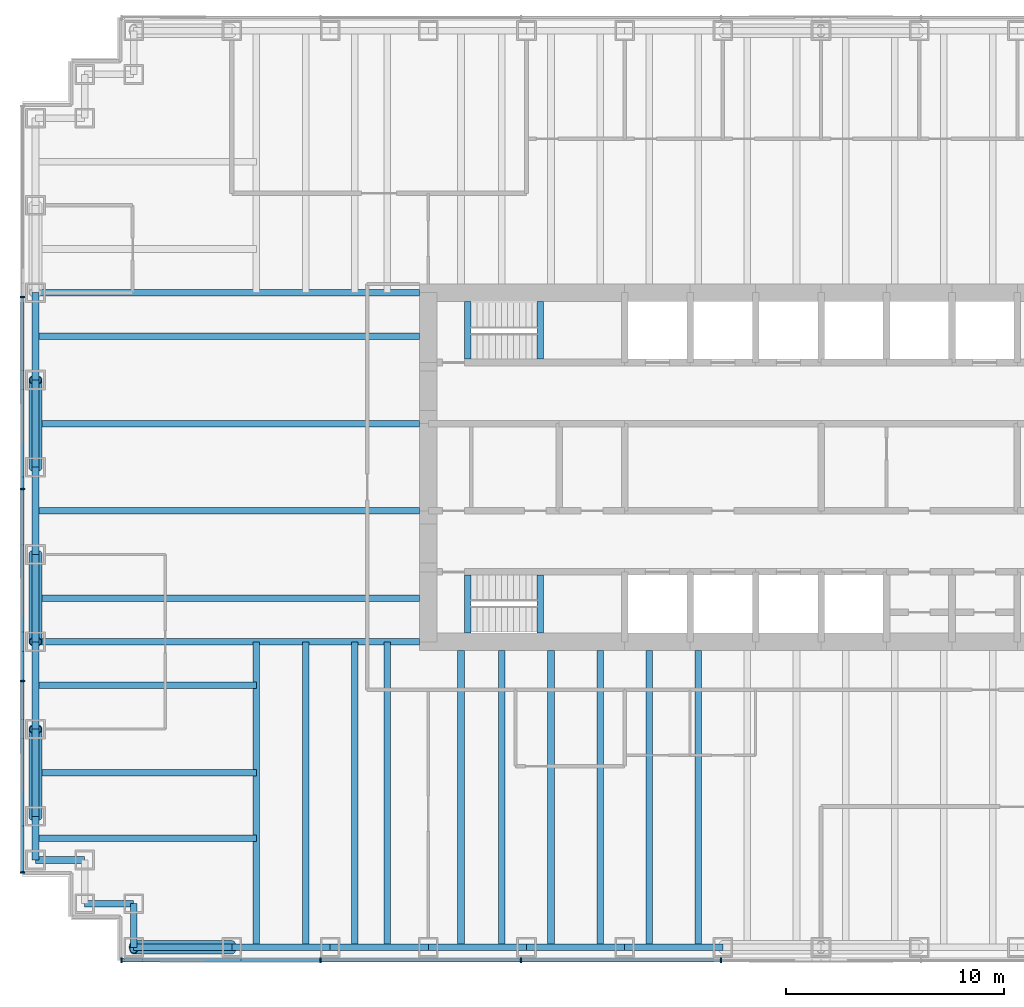
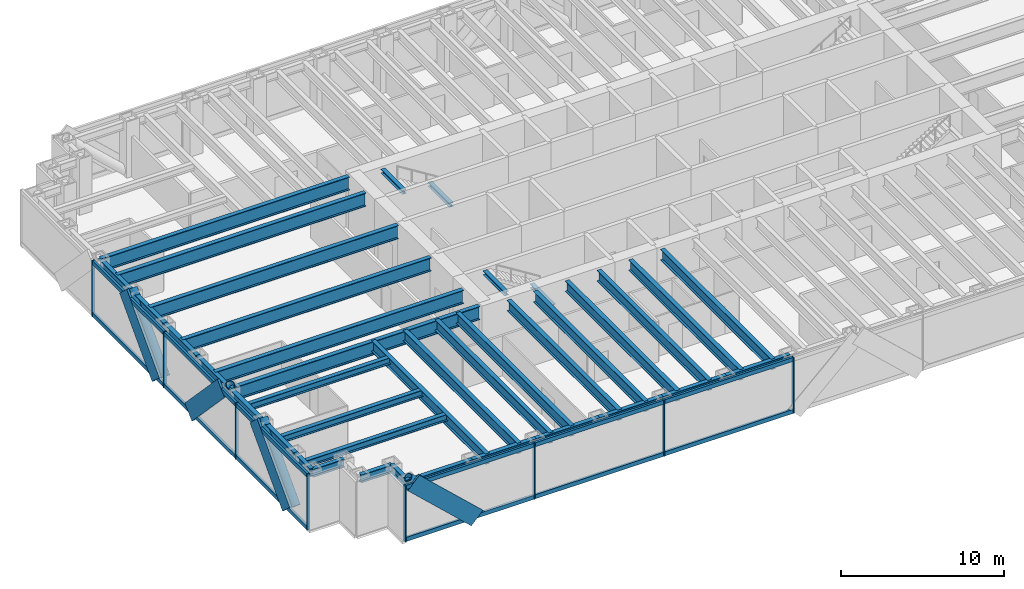
# One storey, part 2 of 14: 39 beams, 28 members, 2 elements without a shape of their own.
"""IFC4 building model written with IfcOpenShell, lengths in metres."""

from ifc_helpers import new_model, si_unit, direction, frame, origin, origin_2d, place, context, subcontext, project, spatial, rectangle, hollow_circle, i_section, extrude, material, material_profile, profile_set, type_object, element, aggregate, save


model = new_model("IFC4")

# Units and contexts
model_context = context("Model", 3, precision=1e-05, world=origin(), true_north=direction((0.0, 1.0)))
body_context = subcontext(model_context, "Body", "Model", "MODEL_VIEW")
ifc_project = project(units=[si_unit("LENGTHUNIT", "METRE"), si_unit("AREAUNIT", "SQUARE_METRE"), si_unit("VOLUMEUNIT", "CUBIC_METRE"), si_unit("PLANEANGLEUNIT", "RADIAN"), si_unit("MASSUNIT", "GRAM", prefix="KILO")], contexts=[model_context])

# Site, building, storey
site_placement = place(None, origin())
site = spatial("IfcSite", under=ifc_project, at=site_placement, CompositionType="ELEMENT")
building_placement = place(site_placement, origin())
building = spatial("IfcBuilding", under=site, at=building_placement, Name="Rheinbord Bourse Tower", CompositionType="ELEMENT")
storey_placement = place(building_placement, frame((0.0, 0.0, 240.39990234375)))
storey = spatial("IfcBuildingStorey", under=building, at=storey_placement, Name="L54", CompositionType="ELEMENT", Elevation=240.39990234375)

# Curtain wall, member
ifc_material_1 = material(Name="Dark glass and black aluminium", Category="aluminium")
curtain_wall_type = type_object("IfcCurtainWallType", Name="CW2 DARK GLASS CURTAIN WALL", PredefinedType="USERDEFINED", material=ifc_material_1)
curtain_wall_1_placement = place(storey_placement, origin())
curtain_wall_1 = element("IfcCurtainWall", 1, at=curtain_wall_1_placement, inside=storey, type_object=curtain_wall_type, Name="Curtain wall CW2 S L54", ObjectType="UNITISED CURTAIN WALL", PredefinedType="USERDEFINED")
ifc_material_2 = material(Name="Black anodised aluminium", Category="aluminium")
ifc_material_profile_1 = material_profile(ifc_material_2, rectangle(XDim=0.159912109375, YDim=1.2099609375, at=origin_2d()), Name="CW2 DIAGONAL MULLION 1210x160")
ifc_profile_set_1 = profile_set([ifc_material_profile_1], Name="Black anodised aluminium")
member_type_1 = type_object("IfcMemberType", Name="CW2 BLACK DIAGONAL MULLION", PredefinedType="USERDEFINED", material=ifc_profile_set_1)
member_1_placement = place(storey_placement, frame((9.0, 1.39990234375, 0.0), z_axis=(-0.731039441158, 0.0, 0.682335207557), x_axis=(0.0, -1.0, 0.0)))
member_1 = element("IfcMember", 2, at=member_1_placement, type_object=member_type_1, Name="CW2 diagonal mullion a", ObjectType="DIAGONAL MULLION", PredefinedType="USERDEFINED", context=body_context, shape_type="SweptSolid", body=[
    extrude(rectangle(XDim=0.159912109375, YDim=1.2099609375, at=origin_2d()), origin(), (0.0, 0.0, 1.0), 6.155517578125),
])

# Curtain wall, members
curtain_wall_2_placement = place(storey_placement, origin())
curtain_wall_2 = element("IfcCurtainWall", 3, at=curtain_wall_2_placement, inside=storey, type_object=curtain_wall_type, Name="Curtain wall CW2 W L54", ObjectType="UNITISED CURTAIN WALL", PredefinedType="USERDEFINED")
member_2_placement = place(storey_placement, frame((-0.60009765625, 8.0, 0.0), z_axis=(0.0, 0.689638355374, 0.72415394689), x_axis=(-1.0, 0.0, 0.0)))
member_2 = element("IfcMember", 4, at=member_2_placement, type_object=member_type_1, Name="CW2 diagonal mullion a", ObjectType="DIAGONAL MULLION", PredefinedType="USERDEFINED", context=body_context, shape_type="SweptSolid", body=[
    extrude(rectangle(XDim=0.159912109375, YDim=1.2099609375, at=origin_2d()), origin(), (0.0, 0.0, 1.0), 5.800048828125),
])
member_3_placement = place(storey_placement, frame((-0.60009765625, 24.0, 0.0), z_axis=(0.0, 0.689638355374, 0.72415394689), x_axis=(-1.0, 0.0, 0.0)))
member_3 = element("IfcMember", 5, at=member_3_placement, type_object=member_type_1, Name="CW2 diagonal mullion c", ObjectType="DIAGONAL MULLION", PredefinedType="USERDEFINED", context=body_context, shape_type="SweptSolid", body=[
    extrude(rectangle(XDim=0.159912109375, YDim=1.2099609375, at=origin_2d()), origin(), (0.0, 0.0, 1.0), 5.800048828125),
])
member_4_placement = place(storey_placement, frame((-0.60009765625, 20.0, 0.0), z_axis=(0.0, -0.689638355374, 0.72415394689), x_axis=(1.0, 0.0, 0.0)))
member_4 = element("IfcMember", 6, at=member_4_placement, type_object=member_type_1, Name="CW2 diagonal mullion d", ObjectType="DIAGONAL MULLION", PredefinedType="USERDEFINED", context=body_context, shape_type="SweptSolid", body=[
    extrude(rectangle(XDim=0.159912109375, YDim=1.2099609375, at=origin_2d()), origin(), (0.0, 0.0, 1.0), 5.800048828125),
])

# Member
ifc_material_3 = material(Name="Black anodised aluminium", Category="aluminium")
ifc_material_profile_2 = material_profile(ifc_material_3, rectangle(XDim=0.219970703125, YDim=0.070068359375, at=origin_2d()), Name="CW2 MULLION 70x220")
ifc_profile_set_2 = profile_set([ifc_material_profile_2], Name="Black anodised aluminium")
member_type_2 = type_object("IfcMemberType", Name="CW2 BLACK MULLION", PredefinedType="MULLION", material=ifc_profile_set_2)
member_5_placement = place(storey_placement, frame((3.93505859375, 1.39990234375, 0.0), z_axis=(0.0, 0.0, 1.0), x_axis=(0.0, 1.0, 0.0)))
member_5 = element("IfcMember", 7, at=member_5_placement, type_object=member_type_2, Name="CW2 mullion 1", PredefinedType="MULLION", context=body_context, shape_type="SweptSolid", body=[
    extrude(rectangle(XDim=0.219970703125, YDim=0.070068359375, at=origin_2d()), origin(), (0.0, 0.0, 1.0), 4.2001953125),
])

member_6_placement = place(storey_placement, frame((13.071533203125, 1.39990234375, 0.0), z_axis=(0.0, 0.0, 1.0), x_axis=(0.0, 1.0, 0.0)))
member_6 = element("IfcMember", 8, at=member_6_placement, type_object=member_type_2, Name="CW2 mullion 2", PredefinedType="MULLION", context=body_context, shape_type="SweptSolid", body=[
    extrude(rectangle(XDim=0.219970703125, YDim=0.070068359375, at=origin_2d()), origin(), (0.0, 0.0, 1.0), 4.2001953125),
])

member_7_placement = place(storey_placement, frame((22.242919921875, 1.39990234375, 0.0), z_axis=(0.0, 0.0, 1.0), x_axis=(0.0, 1.0, 0.0)))
member_7 = element("IfcMember", 9, at=member_7_placement, type_object=member_type_2, Name="CW2 mullion 3", PredefinedType="MULLION", context=body_context, shape_type="SweptSolid", body=[
    extrude(rectangle(XDim=0.219970703125, YDim=0.070068359375, at=origin_2d()), origin(), (0.0, 0.0, 1.0), 4.2001953125),
])

member_8_placement = place(storey_placement, frame((31.414306640625, 1.39990234375, 0.0), z_axis=(0.0, 0.0, 1.0), x_axis=(0.0, 1.0, 0.0)))
member_8 = element("IfcMember", 10, at=member_8_placement, type_object=member_type_2, Name="CW2 mullion 4", PredefinedType="MULLION", context=body_context, shape_type="SweptSolid", body=[
    extrude(rectangle(XDim=0.219970703125, YDim=0.070068359375, at=origin_2d()), origin(), (0.0, 0.0, 1.0), 4.2001953125),
])

member_9_placement = place(storey_placement, frame((-0.60009765625, 31.800048828125, 0.0), z_axis=(0.0, 0.0, 1.0), x_axis=(1.0, 0.0, 0.0)))
member_9 = element("IfcMember", 11, at=member_9_placement, type_object=member_type_2, Name="CW2 mullion 2", PredefinedType="MULLION", context=body_context, shape_type="SweptSolid", body=[
    extrude(rectangle(XDim=0.219970703125, YDim=0.070068359375, at=origin_2d()), origin(), (0.0, 0.0, 1.0), 4.2001953125),
])

member_10_placement = place(storey_placement, frame((-0.60009765625, 23.0, 0.0), z_axis=(0.0, 0.0, 1.0), x_axis=(1.0, 0.0, 0.0)))
member_10 = element("IfcMember", 12, at=member_10_placement, type_object=member_type_2, Name="CW2 mullion 3", PredefinedType="MULLION", context=body_context, shape_type="SweptSolid", body=[
    extrude(rectangle(XDim=0.219970703125, YDim=0.070068359375, at=origin_2d()), origin(), (0.0, 0.0, 1.0), 4.2001953125),
])

member_11_placement = place(storey_placement, frame((-0.60009765625, 14.199951171875, 0.0), z_axis=(0.0, 0.0, 1.0), x_axis=(1.0, 0.0, 0.0)))
member_11 = element("IfcMember", 13, at=member_11_placement, type_object=member_type_2, Name="CW2 mullion 4", PredefinedType="MULLION", context=body_context, shape_type="SweptSolid", body=[
    extrude(rectangle(XDim=0.219970703125, YDim=0.070068359375, at=origin_2d()), origin(), (0.0, 0.0, 1.0), 4.2001953125),
])

member_12_placement = place(storey_placement, frame((-0.60009765625, 5.43505859375, 0.0), z_axis=(0.0, 0.0, 1.0), x_axis=(1.0, 0.0, 0.0)))
member_12 = element("IfcMember", 14, at=member_12_placement, type_object=member_type_2, Name="CW2 mullion 5", PredefinedType="MULLION", context=body_context, shape_type="SweptSolid", body=[
    extrude(rectangle(XDim=0.219970703125, YDim=0.070068359375, at=origin_2d()), origin(), (0.0, 0.0, 1.0), 4.2001953125),
])

ifc_material_4 = material(Name="Black anodised aluminium", Category="aluminium")
ifc_material_profile_3 = material_profile(ifc_material_4, rectangle(XDim=0.159912109375, YDim=0.300048828125, at=origin_2d()), Name="CW2 TRANSOM 300x160")
ifc_profile_set_3 = profile_set([ifc_material_profile_3], Name="Black anodised aluminium")
member_type_3 = type_object("IfcMemberType", Name="CW2 BLACK TRANSOM", PredefinedType="USERDEFINED", material=ifc_profile_set_3)
member_13_placement = place(storey_placement, frame((3.969970703125, 1.39990234375, 0.150146484375), z_axis=(1.0, 0.0, 0.0), x_axis=(0.0, 1.0, 0.0)))
member_13 = element("IfcMember", 15, at=member_13_placement, type_object=member_type_3, Name="CW2 transom 1.1", ObjectType="TRANSOM", PredefinedType="USERDEFINED", context=body_context, shape_type="SweptSolid", body=[
    extrude(rectangle(XDim=0.159912109375, YDim=0.300048828125, at=origin_2d()), origin(), (0.0, 0.0, 1.0), 9.06640625),
])

member_14_placement = place(storey_placement, frame((3.969970703125, 1.39990234375, 4.050048828125), z_axis=(1.0, 0.0, 0.0), x_axis=(0.0, 1.0, 0.0)))
member_14 = element("IfcMember", 16, at=member_14_placement, type_object=member_type_3, Name="CW2 transom 1.2", ObjectType="TRANSOM", PredefinedType="USERDEFINED", context=body_context, shape_type="SweptSolid", body=[
    extrude(rectangle(XDim=0.159912109375, YDim=0.300048828125, at=origin_2d()), origin(), (0.0, 0.0, 1.0), 9.06640625),
])

member_15_placement = place(storey_placement, frame((13.1064453125, 1.39990234375, 0.150146484375), z_axis=(1.0, 0.0, 0.0), x_axis=(0.0, 1.0, 0.0)))
member_15 = element("IfcMember", 17, at=member_15_placement, type_object=member_type_3, Name="CW2 transom 2.1", ObjectType="TRANSOM", PredefinedType="USERDEFINED", context=body_context, shape_type="SweptSolid", body=[
    extrude(rectangle(XDim=0.159912109375, YDim=0.300048828125, at=origin_2d()), origin(), (0.0, 0.0, 1.0), 9.101318359375),
])

member_16_placement = place(storey_placement, frame((13.1064453125, 1.39990234375, 4.050048828125), z_axis=(1.0, 0.0, 0.0), x_axis=(0.0, 1.0, 0.0)))
member_16 = element("IfcMember", 18, at=member_16_placement, type_object=member_type_3, Name="CW2 transom 2.2", ObjectType="TRANSOM", PredefinedType="USERDEFINED", context=body_context, shape_type="SweptSolid", body=[
    extrude(rectangle(XDim=0.159912109375, YDim=0.300048828125, at=origin_2d()), origin(), (0.0, 0.0, 1.0), 9.101318359375),
])

member_17_placement = place(storey_placement, frame((22.27783203125, 1.39990234375, 0.150146484375), z_axis=(1.0, 0.0, 0.0), x_axis=(0.0, 1.0, 0.0)))
member_17 = element("IfcMember", 19, at=member_17_placement, type_object=member_type_3, Name="CW2 transom 3.1", ObjectType="TRANSOM", PredefinedType="USERDEFINED", context=body_context, shape_type="SweptSolid", body=[
    extrude(rectangle(XDim=0.159912109375, YDim=0.300048828125, at=origin_2d()), origin(), (0.0, 0.0, 1.0), 9.1015625),
])

member_18_placement = place(storey_placement, frame((22.27783203125, 1.39990234375, 4.050048828125), z_axis=(1.0, 0.0, 0.0), x_axis=(0.0, 1.0, 0.0)))
member_18 = element("IfcMember", 20, at=member_18_placement, type_object=member_type_3, Name="CW2 transom 3.2", ObjectType="TRANSOM", PredefinedType="USERDEFINED", context=body_context, shape_type="SweptSolid", body=[
    extrude(rectangle(XDim=0.159912109375, YDim=0.300048828125, at=origin_2d()), origin(), (0.0, 0.0, 1.0), 9.1015625),
])

aggregate(curtain_wall_1, [member_5, member_6, member_7, member_8, member_13, member_14, member_15, member_16, member_17, member_18, member_1])

member_19_placement = place(storey_placement, frame((-0.60009765625, 31.764892578125, 0.150146484375), z_axis=(0.0, -1.0, 0.0), x_axis=(1.0, 0.0, 0.0)))
member_19 = element("IfcMember", 21, at=member_19_placement, type_object=member_type_3, Name="CW2 transom 2.1", ObjectType="TRANSOM", PredefinedType="USERDEFINED", context=body_context, shape_type="SweptSolid", body=[
    extrude(rectangle(XDim=0.159912109375, YDim=0.300048828125, at=origin_2d()), origin(), (0.0, 0.0, 1.0), 8.72998046875),
])

member_20_placement = place(storey_placement, frame((-0.60009765625, 31.764892578125, 4.050048828125), z_axis=(0.0, -1.0, 0.0), x_axis=(1.0, 0.0, 0.0)))
member_20 = element("IfcMember", 22, at=member_20_placement, type_object=member_type_3, Name="CW2 transom 2.2", ObjectType="TRANSOM", PredefinedType="USERDEFINED", context=body_context, shape_type="SweptSolid", body=[
    extrude(rectangle(XDim=0.159912109375, YDim=0.300048828125, at=origin_2d()), origin(), (0.0, 0.0, 1.0), 8.72998046875),
])

member_21_placement = place(storey_placement, frame((-0.60009765625, 22.965087890625, 0.150146484375), z_axis=(0.0, -1.0, 0.0), x_axis=(1.0, 0.0, 0.0)))
member_21 = element("IfcMember", 23, at=member_21_placement, type_object=member_type_3, Name="CW2 transom 3.1", ObjectType="TRANSOM", PredefinedType="USERDEFINED", context=body_context, shape_type="SweptSolid", body=[
    extrude(rectangle(XDim=0.159912109375, YDim=0.300048828125, at=origin_2d()), origin(), (0.0, 0.0, 1.0), 8.72998046875),
])

member_22_placement = place(storey_placement, frame((-0.60009765625, 22.965087890625, 4.050048828125), z_axis=(0.0, -1.0, 0.0), x_axis=(1.0, 0.0, 0.0)))
member_22 = element("IfcMember", 24, at=member_22_placement, type_object=member_type_3, Name="CW2 transom 3.2", ObjectType="TRANSOM", PredefinedType="USERDEFINED", context=body_context, shape_type="SweptSolid", body=[
    extrude(rectangle(XDim=0.159912109375, YDim=0.300048828125, at=origin_2d()), origin(), (0.0, 0.0, 1.0), 8.72998046875),
])

member_23_placement = place(storey_placement, frame((-0.60009765625, 14.1650390625, 0.150146484375), z_axis=(0.0, -1.0, 0.0), x_axis=(1.0, 0.0, 0.0)))
member_23 = element("IfcMember", 25, at=member_23_placement, type_object=member_type_3, Name="CW2 transom 4.1", ObjectType="TRANSOM", PredefinedType="USERDEFINED", context=body_context, shape_type="SweptSolid", body=[
    extrude(rectangle(XDim=0.159912109375, YDim=0.300048828125, at=origin_2d()), origin(), (0.0, 0.0, 1.0), 8.695068359375),
])

member_24_placement = place(storey_placement, frame((-0.60009765625, 14.1650390625, 4.050048828125), z_axis=(0.0, -1.0, 0.0), x_axis=(1.0, 0.0, 0.0)))
member_24 = element("IfcMember", 26, at=member_24_placement, type_object=member_type_3, Name="CW2 transom 4.2", ObjectType="TRANSOM", PredefinedType="USERDEFINED", context=body_context, shape_type="SweptSolid", body=[
    extrude(rectangle(XDim=0.159912109375, YDim=0.300048828125, at=origin_2d()), origin(), (0.0, 0.0, 1.0), 8.695068359375),
])

aggregate(curtain_wall_2, [member_9, member_10, member_11, member_12, member_19, member_20, member_21, member_22, member_23, member_24, member_2, member_3, member_4])

# Beams
ifc_material_5 = material(Name="Steel S460", Category="steel")
ifc_material_profile_4 = material_profile(ifc_material_5, i_section(OverallWidth=0.302001953125, OverallDepth=1.008056640625, WebThickness=0.02099609375, FlangeThickness=0.0400390625, at=origin_2d()), Name="HEM 1000")
ifc_profile_set_4 = profile_set([ifc_material_profile_4], Name="Steel S460")
beam_type_1 = type_object("IfcBeamType", Name="END BEAM HEM 1000", PredefinedType="BEAM", material=ifc_profile_set_4)
for number, where, z_axis, x_axis, name in (
    (27, (0.0, 18.0, 3.5361328125), (1.0, 0.0, 0.0), (0.0, 1.0, 0.0), "End beam west 18 L55"),
    (28, (0.0, 22.0, 3.5361328125), (1.0, 0.0, 0.0), (0.0, 1.0, 0.0), "End beam west 22 L55"),
    (29, (0.0, 26.0, 3.5361328125), (1.0, 0.0, 0.0), (0.0, 1.0, 0.0), "End beam west 26 L55"),
    (30, (0.0, 30.0, 3.5361328125), (1.0, 0.0, 0.0), (0.0, 1.0, 0.0), "End beam west 30 L55"),
):
    element("IfcBeam", number, at=place(storey_placement, frame(where, z_axis=z_axis, x_axis=x_axis)), inside=storey, type_object=beam_type_1, Name=name, PredefinedType="BEAM", context=body_context, shape_type="SweptSolid", body=[
        extrude(i_section(OverallWidth=0.302001953125, OverallDepth=1.008056640625, WebThickness=0.02099609375, FlangeThickness=0.0400390625, at=origin_2d()), origin(), (0.0, 0.0, 1.0), 17.60009765625),
    ])
ifc_material_6 = material(Name="Steel S460", Category="steel")
ifc_material_profile_5 = material_profile(ifc_material_6, i_section(OverallWidth=0.300048828125, OverallDepth=0.800048828125, WebThickness=0.017578125, FlangeThickness=0.032958984375, at=origin_2d()), Name="HEB 800")
ifc_profile_set_5 = profile_set([ifc_material_profile_5], Name="Steel S460")
beam_type_2 = type_object("IfcBeamType", Name="FLOOR BEAM HEB 800", PredefinedType="BEAM", material=ifc_profile_set_5)
for number, where, z_axis, x_axis, name in (
    (31, (10.125, 2.0, 3.64013671875), (0.0, 1.0, 0.0), (-1.0, 0.0, 0.0), "Floor beam S-9a L55"),
    (32, (12.375, 2.0, 3.64013671875), (0.0, 1.0, 0.0), (-1.0, 0.0, 0.0), "Floor beam S-9b L55"),
    (33, (14.625, 2.0, 3.64013671875), (0.0, 1.0, 0.0), (-1.0, 0.0, 0.0), "Floor beam S-13.5a L55"),
    (34, (16.125, 2.0, 3.64013671875), (0.0, 1.0, 0.0), (-1.0, 0.0, 0.0), "Floor beam S-13.5b L55"),
):
    element("IfcBeam", number, at=place(storey_placement, frame(where, z_axis=z_axis, x_axis=x_axis)), inside=storey, type_object=beam_type_2, Name=name, PredefinedType="BEAM", context=body_context, shape_type="SweptSolid", body=[
        extrude(i_section(OverallWidth=0.300048828125, OverallDepth=0.800048828125, WebThickness=0.017578125, FlangeThickness=0.032958984375, at=origin_2d()), origin(), (0.0, 0.0, 1.0), 14.0),
    ])
for number, where, z_axis, x_axis, name in (
    (35, (19.5, 2.0, 3.64013671875), (0.0, 1.0, 0.0), (-1.0, 0.0, 0.0), "Floor beam S-18a L55"),
    (36, (21.375, 2.0, 3.64013671875), (0.0, 1.0, 0.0), (-1.0, 0.0, 0.0), "Floor beam S-18b L55"),
    (37, (23.625, 2.0, 3.64013671875), (0.0, 1.0, 0.0), (-1.0, 0.0, 0.0), "Floor beam S-22.5a L55"),
    (38, (25.875, 2.0, 3.64013671875), (0.0, 1.0, 0.0), (-1.0, 0.0, 0.0), "Floor beam S-22.5b L55"),
    (39, (28.125, 2.0, 3.64013671875), (0.0, 1.0, 0.0), (-1.0, 0.0, 0.0), "Floor beam S-27a L55"),
    (40, (30.375, 2.0, 3.64013671875), (0.0, 1.0, 0.0), (-1.0, 0.0, 0.0), "Floor beam S-27b L55"),
):
    element("IfcBeam", number, at=place(storey_placement, frame(where, z_axis=z_axis, x_axis=x_axis)), inside=storey, type_object=beam_type_2, Name=name, PredefinedType="BEAM", context=body_context, shape_type="SweptSolid", body=[
        extrude(i_section(OverallWidth=0.300048828125, OverallDepth=0.800048828125, WebThickness=0.017578125, FlangeThickness=0.032958984375, at=origin_2d()), origin(), (0.0, 0.0, 1.0), 13.60009765625),
    ])
ifc_material_7 = material(Name="Steel S460", Category="steel")
ifc_material_profile_6 = material_profile(ifc_material_7, i_section(OverallWidth=0.302001953125, OverallDepth=1.008056640625, WebThickness=0.02099609375, FlangeThickness=0.0400390625, at=origin_2d()), Name="HEM 1000")
ifc_profile_set_6 = profile_set([ifc_material_profile_6], Name="Steel S460")
beam_type_3 = type_object("IfcBeamType", Name="GIRDER HEM 1000", PredefinedType="BEAM", material=ifc_profile_set_6)
for number, where, z_axis, x_axis, name in (
    (41, (0.0, 16.0, 3.5361328125), (1.0, 0.0, 0.0), (0.0, 1.0, 0.0), "Girder west 16 L55"),
    (42, (0.0, 32.0, 3.5361328125), (1.0, 0.0, 0.0), (0.0, 1.0, 0.0), "Girder west 32 L55"),
):
    element("IfcBeam", number, at=place(storey_placement, frame(where, z_axis=z_axis, x_axis=x_axis)), inside=storey, type_object=beam_type_3, Name=name, PredefinedType="BEAM", context=body_context, shape_type="SweptSolid", body=[
        extrude(i_section(OverallWidth=0.302001953125, OverallDepth=1.008056640625, WebThickness=0.02099609375, FlangeThickness=0.0400390625, at=origin_2d()), origin(), (0.0, 0.0, 1.0), 17.60009765625),
    ])
ifc_material_8 = material(Name="Steel S460", Category="steel")
ifc_material_profile_7 = material_profile(ifc_material_8, i_section(OverallWidth=0.300048828125, OverallDepth=0.300048828125, WebThickness=0.010986328125, FlangeThickness=0.01904296875, at=origin_2d()), Name="HEB 300")
ifc_profile_set_7 = profile_set([ifc_material_profile_7], Name="Steel S460")
beam_type_4 = type_object("IfcBeamType", Name="LANDING TRIMMER HEB 300", PredefinedType="BEAM", material=ifc_profile_set_7)
for number, where, z_axis, x_axis, name in (
    (43, (23.1298828125, 16.39990234375, 1.75), (0.0, 1.0, 0.0), (-1.0, 0.0, 0.0), "Landing trimmer ST1 L54"),
    (44, (19.800048828125, 16.39990234375, 3.89013671875), (0.0, 1.0, 0.0), (-1.0, 0.0, 0.0), "Well trimmer ST1 under L55"),
    (45, (23.1298828125, 28.949951171875, 1.75), (0.0, 1.0, 0.0), (-1.0, 0.0, 0.0), "Landing trimmer ST2 L54"),
    (46, (19.800048828125, 28.949951171875, 3.89013671875), (0.0, 1.0, 0.0), (-1.0, 0.0, 0.0), "Well trimmer ST2 under L55"),
):
    element("IfcBeam", number, at=place(storey_placement, frame(where, z_axis=z_axis, x_axis=x_axis)), inside=storey, type_object=beam_type_4, Name=name, PredefinedType="BEAM", context=body_context, shape_type="SweptSolid", body=[
        extrude(i_section(OverallWidth=0.300048828125, OverallDepth=0.300048828125, WebThickness=0.010986328125, FlangeThickness=0.01904296875, at=origin_2d()), origin(), (0.0, 0.0, 1.0), 2.650146484375),
    ])

# Members
ifc_material_9 = material(Name="Steel S460", Category="steel")
ifc_material_profile_8 = material_profile(ifc_material_9, hollow_circle(Radius=0.304931640625, WallThickness=0.0400390625, at=origin_2d()), Name="CHS 610x40")
ifc_profile_set_8 = profile_set([ifc_material_profile_8], Name="Steel S460")
member_type_4 = type_object("IfcMemberType", Name="MEGABRACE CHS 610x40", PredefinedType="BRACE", material=ifc_profile_set_8)
member_25_placement = place(storey_placement, frame((9.0, 2.0, 0.0), z_axis=(-0.731039441158, 0.0, 0.682335207557), x_axis=(0.0, -1.0, 0.0)))
element("IfcMember", 47, at=member_25_placement, inside=storey, type_object=member_type_4, Name="Megabrace S face line a L54", PredefinedType="BRACE", context=body_context, shape_type="SweptSolid", body=[
    extrude(hollow_circle(Radius=0.304931640625, WallThickness=0.0400390625, at=origin_2d()), origin(), (0.0, 0.0, 1.0), 6.155517578125),
])
for number, where, z_axis, x_axis, name in (
    (48, (0.0, 8.0, 0.0), (0.0, 0.689638355374, 0.72415394689), (-1.0, 0.0, 0.0), "Megabrace W face line a L54"),
    (49, (0.0, 24.0, 0.0), (0.0, 0.689638355374, 0.72415394689), (-1.0, 0.0, 0.0), "Megabrace W face line c L54"),
    (50, (0.0, 20.0, 0.0), (0.0, -0.689638355374, 0.72415394689), (1.0, 0.0, 0.0), "Megabrace W face line d L54"),
):
    element("IfcMember", number, at=place(storey_placement, frame(where, z_axis=z_axis, x_axis=x_axis)), inside=storey, type_object=member_type_4, Name=name, PredefinedType="BRACE", context=body_context, shape_type="SweptSolid", body=[
        extrude(hollow_circle(Radius=0.304931640625, WallThickness=0.0400390625, at=origin_2d()), origin(), (0.0, 0.0, 1.0), 5.800048828125),
    ])

# Beams
ifc_material_10 = material(Name="Steel S460", Category="steel")
ifc_material_profile_9 = material_profile(ifc_material_10, i_section(OverallWidth=0.300048828125, OverallDepth=0.60009765625, WebThickness=0.015380859375, FlangeThickness=0.030029296875, at=origin_2d()), Name="HEB 600")
ifc_profile_set_9 = profile_set([ifc_material_profile_9], Name="Steel S460")
beam_type_5 = type_object("IfcBeamType", Name="SPANDREL HEB 600", PredefinedType="SPANDREL", material=ifc_profile_set_9)
for number, where, z_axis, x_axis, name in (
    (51, (4.5, 2.0, 3.739990234375), (1.0, 0.0, 0.0), (0.0, 1.0, 0.0), "Spandrel SW-E-S-9 under L55"),
    (52, (9.0, 2.0, 3.739990234375), (1.0, 0.0, 0.0), (0.0, 1.0, 0.0), "Spandrel S-9-S-13.5 under L55"),
    (53, (13.5, 2.0, 3.739990234375), (1.0, 0.0, 0.0), (0.0, 1.0, 0.0), "Spandrel S-13.5-S-18 under L55"),
    (54, (18.0, 2.0, 3.739990234375), (1.0, 0.0, 0.0), (0.0, 1.0, 0.0), "Spandrel S-18-S-22.5 under L55"),
    (55, (22.5, 2.0, 3.739990234375), (1.0, 0.0, 0.0), (0.0, 1.0, 0.0), "Spandrel S-22.5-S-27 under L55"),
    (56, (27.0, 2.0, 3.739990234375), (1.0, 0.0, 0.0), (0.0, 1.0, 0.0), "Spandrel S-27-S-31.5 under L55"),
):
    element("IfcBeam", number, at=place(storey_placement, frame(where, z_axis=z_axis, x_axis=x_axis)), inside=storey, type_object=beam_type_5, Name=name, PredefinedType="SPANDREL", context=body_context, shape_type="SweptSolid", body=[
        extrude(i_section(OverallWidth=0.300048828125, OverallDepth=0.60009765625, WebThickness=0.015380859375, FlangeThickness=0.030029296875, at=origin_2d()), origin(), (0.0, 0.0, 1.0), 4.5),
    ])
for number, where, z_axis, x_axis, name in (
    (57, (0.0, 32.0, 3.739990234375), (0.0, -1.0, 0.0), (1.0, 0.0, 0.0), "Spandrel W-32-W-28 under L55"),
    (58, (0.0, 28.0, 3.739990234375), (0.0, -1.0, 0.0), (1.0, 0.0, 0.0), "Spandrel W-28-W-24 under L55"),
    (59, (0.0, 24.0, 3.739990234375), (0.0, -1.0, 0.0), (1.0, 0.0, 0.0), "Spandrel W-24-W-20 under L55"),
    (60, (0.0, 20.0, 3.739990234375), (0.0, -1.0, 0.0), (1.0, 0.0, 0.0), "Spandrel W-20-W-16 under L55"),
    (61, (0.0, 16.0, 3.739990234375), (0.0, -1.0, 0.0), (1.0, 0.0, 0.0), "Spandrel W-16-W-12 under L55"),
    (62, (0.0, 12.0, 3.739990234375), (0.0, -1.0, 0.0), (1.0, 0.0, 0.0), "Spandrel W-12-W-8 under L55"),
):
    element("IfcBeam", number, at=place(storey_placement, frame(where, z_axis=z_axis, x_axis=x_axis)), inside=storey, type_object=beam_type_5, Name=name, PredefinedType="SPANDREL", context=body_context, shape_type="SweptSolid", body=[
        extrude(i_section(OverallWidth=0.300048828125, OverallDepth=0.60009765625, WebThickness=0.015380859375, FlangeThickness=0.030029296875, at=origin_2d()), origin(), (0.0, 0.0, 1.0), 4.0),
    ])
beam_1_placement = place(storey_placement, frame((0.0, 8.0, 3.739990234375), z_axis=(0.0, -1.0, 0.0), x_axis=(1.0, 0.0, 0.0)))
element("IfcBeam", 63, at=beam_1_placement, inside=storey, type_object=beam_type_5, Name="Spandrel W-8-SW-A under L55", PredefinedType="SPANDREL", context=body_context, shape_type="SweptSolid", body=[
    extrude(i_section(OverallWidth=0.300048828125, OverallDepth=0.60009765625, WebThickness=0.015380859375, FlangeThickness=0.030029296875, at=origin_2d()), origin(), (0.0, 0.0, 1.0), 2.0),
])
for number, where, z_axis, x_axis, name in (
    (64, (0.0, 6.0, 3.739990234375), (1.0, 0.0, 0.0), (0.0, 1.0, 0.0), "Spandrel SW-A-SW-B under L55"),
    (65, (2.25, 4.0, 3.739990234375), (1.0, 0.0, 0.0), (0.0, 1.0, 0.0), "Spandrel SW-C-SW-D under L55"),
):
    element("IfcBeam", number, at=place(storey_placement, frame(where, z_axis=z_axis, x_axis=x_axis)), inside=storey, type_object=beam_type_5, Name=name, PredefinedType="SPANDREL", context=body_context, shape_type="SweptSolid", body=[
        extrude(i_section(OverallWidth=0.300048828125, OverallDepth=0.60009765625, WebThickness=0.015380859375, FlangeThickness=0.030029296875, at=origin_2d()), origin(), (0.0, 0.0, 1.0), 2.25),
    ])
beam_2_placement = place(storey_placement, frame((4.5, 4.0, 3.739990234375), z_axis=(0.0, -1.0, 0.0), x_axis=(1.0, 0.0, 0.0)))
element("IfcBeam", 66, at=beam_2_placement, inside=storey, type_object=beam_type_5, Name="Spandrel SW-D-SW-E under L55", PredefinedType="SPANDREL", context=body_context, shape_type="SweptSolid", body=[
    extrude(i_section(OverallWidth=0.300048828125, OverallDepth=0.60009765625, WebThickness=0.015380859375, FlangeThickness=0.030029296875, at=origin_2d()), origin(), (0.0, 0.0, 1.0), 2.0),
])
ifc_material_11 = material(Name="Steel S460", Category="steel")
ifc_material_profile_10 = material_profile(ifc_material_11, i_section(OverallWidth=0.300048828125, OverallDepth=0.5, WebThickness=0.014404296875, FlangeThickness=0.028076171875, at=origin_2d()), Name="HEB 500")
ifc_profile_set_10 = profile_set([ifc_material_profile_10], Name="Steel S460")
beam_type_6 = type_object("IfcBeamType", Name="TIE BEAM HEB 500", PredefinedType="JOIST", material=ifc_profile_set_10)
for number, where, z_axis, x_axis, name in (
    (67, (0.0, 7.0, 3.7900390625), (1.0, 0.0, 0.0), (0.0, 1.0, 0.0), "Tie west 7 L55"),
    (68, (0.0, 10.0, 3.7900390625), (1.0, 0.0, 0.0), (0.0, 1.0, 0.0), "Tie west 10 L55"),
    (69, (0.0, 14.0, 3.7900390625), (1.0, 0.0, 0.0), (0.0, 1.0, 0.0), "Tie west 14 L55"),
):
    element("IfcBeam", number, at=place(storey_placement, frame(where, z_axis=z_axis, x_axis=x_axis)), inside=storey, type_object=beam_type_6, Name=name, PredefinedType="JOIST", context=body_context, shape_type="SweptSolid", body=[
        extrude(i_section(OverallWidth=0.300048828125, OverallDepth=0.5, WebThickness=0.014404296875, FlangeThickness=0.028076171875, at=origin_2d()), origin(), (0.0, 0.0, 1.0), 10.125),
    ])

save(model, "model.ifc")
